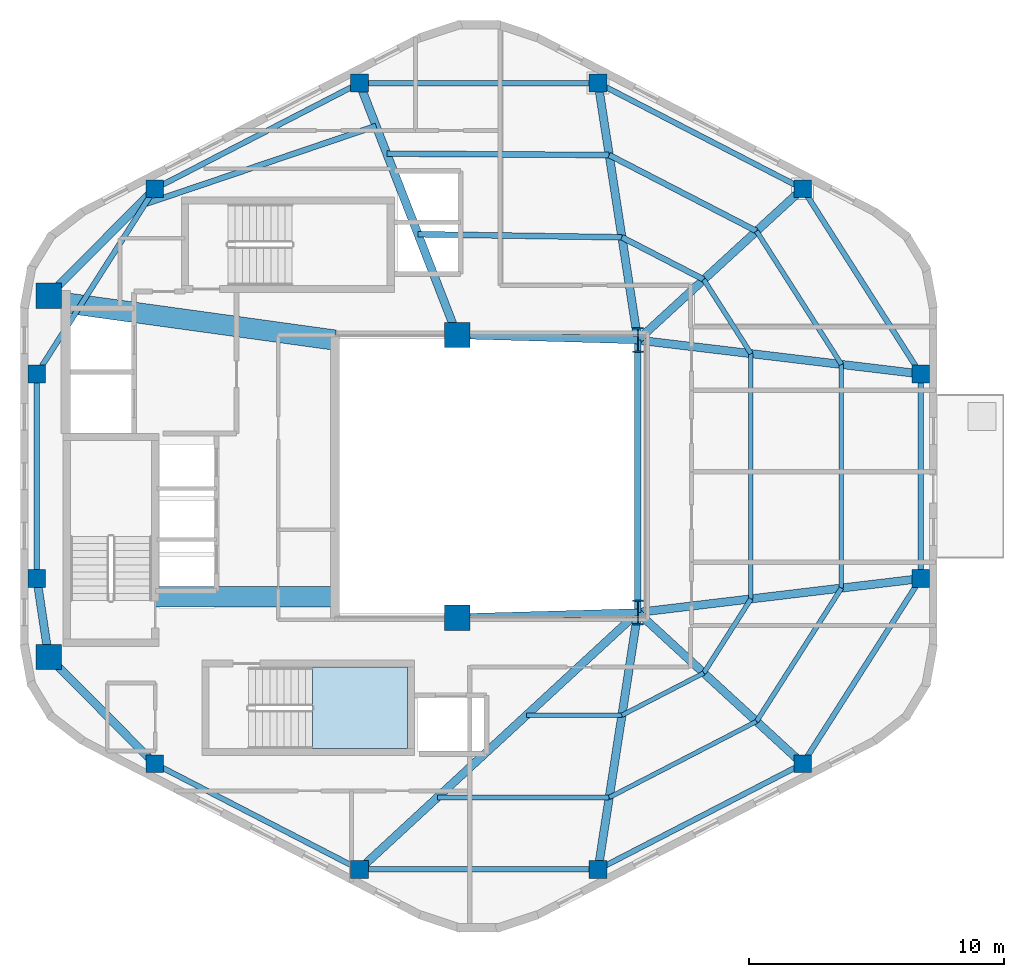
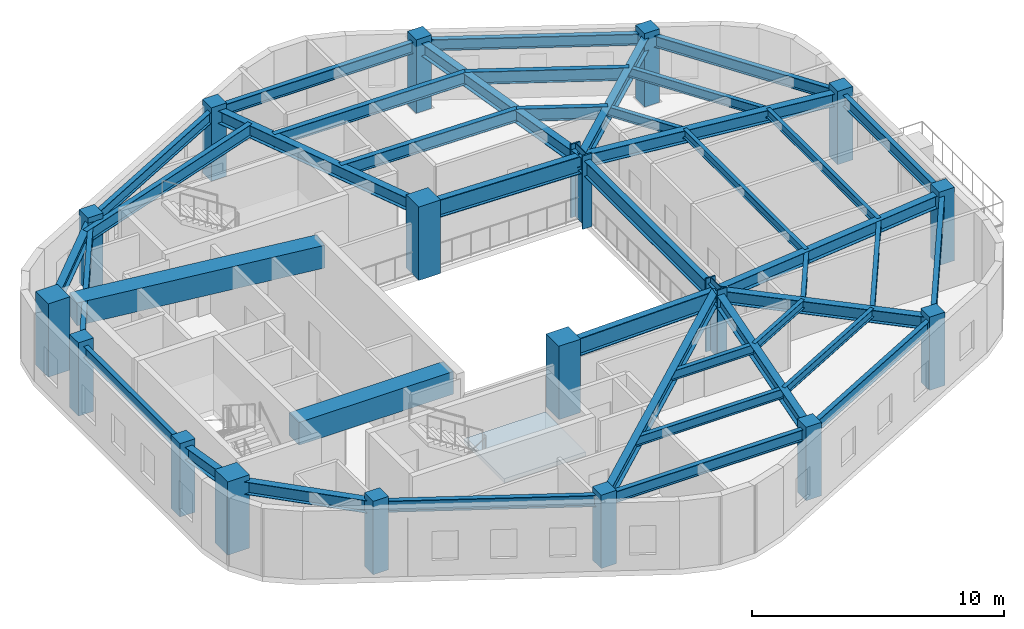
# One storey, part 1 of 7: 42 beams, 18 columns, 1 slab, 1 element without a shape of its own.
"""IFC4 building model written with IfcOpenShell, lengths in metres."""

from ifc_helpers import new_model, si_unit, direction, frame, origin, origin_2d, place, context, subcontext, project, spatial, polyline, rectangle, i_section, outline, extrude, material, layer, layer_set, material_profile, profile_set, type_object, element, aggregate, save


model = new_model("IFC4")

# Units and contexts
model_context = context("Model", 3, precision=1e-05, world=origin(), true_north=direction((0.0, 1.0)))
body_context = subcontext(model_context, "Body", "Model", "MODEL_VIEW")
ifc_project = project(units=[si_unit("LENGTHUNIT", "METRE"), si_unit("AREAUNIT", "SQUARE_METRE"), si_unit("VOLUMEUNIT", "CUBIC_METRE"), si_unit("PLANEANGLEUNIT", "RADIAN"), si_unit("MASSUNIT", "GRAM", prefix="KILO"), si_unit("THERMODYNAMICTEMPERATUREUNIT", "KELVIN"), si_unit("POWERUNIT", "WATT")], contexts=[model_context])

# Site, building, storey
site_placement = place(None, origin())
site = spatial("IfcSite", under=ifc_project, at=site_placement, CompositionType="ELEMENT")
building_placement = place(site_placement, origin())
building = spatial("IfcBuilding", under=site, at=building_placement, Name="Skarre Station Tower", CompositionType="ELEMENT")
storey_placement = place(building_placement, frame((0.0, 0.0, 256.10009765625)))
storey = spatial("IfcBuildingStorey", under=building, at=storey_placement, Name="L70", CompositionType="ELEMENT", Elevation=256.10009765625)

# Columns
ifc_material_1 = material(Name="Concrete C60/75", Category="concrete")
ifc_material_profile_1 = material_profile(ifc_material_1, rectangle(XDim=1.0, YDim=1.0, at=origin_2d()), Name="Concrete C60/75")
ifc_profile_set_1 = profile_set([ifc_material_profile_1], Name="Concrete C60/75")
column_type_1 = type_object("IfcColumnType", Name="RC Structural Column RC-COL-1000X1000", PredefinedType="COLUMN", material=ifc_profile_set_1)
for number, where, z_axis, x_axis, name in (
    (1, (16.300048828125, 16.89990234375, 0.0), (0.0, 0.0, 1.0), (1.0, 0.0, 0.0), "L70 Core Column CC-SW"),
    (2, (16.300048828125, 31.10009765625, 0.0), (0.0, 0.0, 1.0), (1.0, 0.0, 0.0), "L70 Core Column CC-NW"),
    (3, (32.35009765625, 18.449951171875, 0.0), (0.0, 0.0, 1.0), (1.0, 0.0, 0.0), "L70 Core Column CC-SE"),
    (4, (32.35009765625, 29.550048828125, 0.0), (0.0, 0.0, 1.0), (1.0, 0.0, 0.0), "L70 Core Column CC-NE"),
):
    element("IfcColumn", number, at=place(storey_placement, frame(where, z_axis=z_axis, x_axis=x_axis)), inside=storey, type_object=column_type_1, Name=name, PredefinedType="COLUMN", context=body_context, shape_type="SweptSolid", body=[
        extrude(rectangle(XDim=1.0, YDim=1.0, at=origin_2d()), origin(), (0.0, 0.0, 1.0), 3.5498046875),
    ])
ifc_material_2 = material(Name="Concrete C50/60", Category="concrete")
ifc_material_profile_2 = material_profile(ifc_material_2, rectangle(XDim=0.699951171875, YDim=0.699951171875, at=origin_2d()), Name="Concrete C50/60")
ifc_profile_set_2 = profile_set([ifc_material_profile_2], Name="Concrete C50/60")
column_type_2 = type_object("IfcColumnType", Name="RC Structural Column RC-COL-700X700", PredefinedType="COLUMN", material=ifc_profile_set_2)
for number, where, z_axis, x_axis, name in (
    (5, (45.927001953125, 35.298095703125, 0.0), (0.0, 0.0, 1.0), (1.0, 0.0, 0.0), "L70 Zone 4 Perimeter Column F0C1"),
    (6, (37.888916015625, 39.447021484375, 0.0), (0.0, 0.0, 1.0), (1.0, 0.0, 0.0), "L70 Zone 4 Perimeter Column F0C2"),
    (7, (28.510986328125, 39.447021484375, 0.0), (0.0, 0.0, 1.0), (1.0, 0.0, 0.0), "L70 Zone 4 Perimeter Column F1C1"),
    (8, (20.472900390625, 35.298095703125, 0.0), (0.0, 0.0, 1.0), (1.0, 0.0, 0.0), "L70 Zone 4 Perimeter Column F1C2"),
    (9, (15.8369140625, 28.02099609375, 0.0), (0.0, 0.0, 1.0), (1.0, 0.0, 0.0), "L70 Zone 4 Perimeter Column F2C1"),
    (10, (15.8369140625, 19.97900390625, 0.0), (0.0, 0.0, 1.0), (1.0, 0.0, 0.0), "L70 Zone 4 Perimeter Column F2C2"),
    (11, (20.472900390625, 12.701904296875, 0.0), (0.0, 0.0, 1.0), (1.0, 0.0, 0.0), "L70 Zone 4 Perimeter Column F3C1"),
    (12, (28.510986328125, 8.552978515625, 0.0), (0.0, 0.0, 1.0), (1.0, 0.0, 0.0), "L70 Zone 4 Perimeter Column F3C2"),
    (13, (37.888916015625, 8.552978515625, 0.0), (0.0, 0.0, 1.0), (1.0, 0.0, 0.0), "L70 Zone 4 Perimeter Column F4C1"),
    (14, (45.927001953125, 12.701904296875, 0.0), (0.0, 0.0, 1.0), (1.0, 0.0, 0.0), "L70 Zone 4 Perimeter Column F4C2"),
    (15, (50.56298828125, 19.97900390625, 0.0), (0.0, 0.0, 1.0), (1.0, 0.0, 0.0), "L70 Zone 4 Perimeter Column F5C1"),
    (16, (50.56298828125, 28.02099609375, 0.0), (0.0, 0.0, 1.0), (1.0, 0.0, 0.0), "L70 Zone 4 Perimeter Column F5C2"),
):
    element("IfcColumn", number, at=place(storey_placement, frame(where, z_axis=z_axis, x_axis=x_axis)), inside=storey, type_object=column_type_2, Name=name, PredefinedType="COLUMN", context=body_context, shape_type="SweptSolid", body=[
        extrude(rectangle(XDim=0.699951171875, YDim=0.699951171875, at=origin_2d()), origin(), (0.0, 0.0, 1.0), 3.5498046875),
    ])
ifc_material_3 = material(Name="Steel ASTM A913 Grade 65", Category="steel")
ifc_material_profile_3 = material_profile(ifc_material_3, i_section(OverallWidth=0.430908203125, OverallDepth=0.987060546875, WebThickness=0.033935546875, FlangeThickness=0.06201171875, at=origin_2d()), Name="Steel ASTM A913 Grade 65")
ifc_profile_set_3 = profile_set([ifc_material_profile_3], Name="Steel ASTM A913 Grade 65")
column_type_3 = type_object("IfcColumnType", Name="Steel Column W36X441", PredefinedType="COLUMN", material=ifc_profile_set_3)
for number, where, z_axis, x_axis, name in (
    (17, (39.449951171875, 18.64990234375, 0.0), (0.0, 0.0, 1.0), (1.0, 0.0, 0.0), "L70 Atrium Spine Column AC-SE"),
    (18, (39.449951171875, 29.35009765625, 0.0), (0.0, 0.0, 1.0), (1.0, 0.0, 0.0), "L70 Atrium Spine Column AC-NE"),
):
    element("IfcColumn", number, at=place(storey_placement, frame(where, z_axis=z_axis, x_axis=x_axis)), inside=storey, type_object=column_type_3, Name=name, PredefinedType="COLUMN", context=body_context, shape_type="SweptSolid", body=[
        extrude(i_section(OverallWidth=0.430908203125, OverallDepth=0.987060546875, WebThickness=0.033935546875, FlangeThickness=0.06201171875, at=origin_2d()), origin(), (0.0, 0.0, 1.0), 3.5498046875),
    ])

# Beams
ifc_material_4 = material(Name="Concrete C70/85", Category="concrete")
ifc_material_profile_4 = material_profile(ifc_material_4, rectangle(XDim=0.800048828125, YDim=1.10009765625, at=origin_2d()), Name="Concrete C70/85")
ifc_profile_set_4 = profile_set([ifc_material_profile_4], Name="Concrete C70/85")
beam_type_1 = type_object("IfcBeamType", Name="RC Core Coupling Lintel 800x1100", PredefinedType="LINTEL", material=ifc_profile_set_4)
beam_1_placement = place(storey_placement, frame((20.489990234375, 19.260009765625, 2.739990234375), z_axis=(1.0, 0.0, 0.0), x_axis=(0.0, 1.0, 0.0)))
element("IfcBeam", 19, at=beam_1_placement, inside=storey, type_object=beam_type_1, Name="L70 South Core Coupling Lintel", PredefinedType="LINTEL", context=body_context, shape_type="SweptSolid", body=[
    extrude(rectangle(XDim=0.800048828125, YDim=1.10009765625, at=origin_2d()), origin(), (0.0, 0.0, 1.0), 7.06005859375),
])
beam_2_placement = place(storey_placement, frame((17.050048828125, 30.800048828125, 2.739990234375), z_axis=(0.990599723633, -0.136792498109, 0.0), x_axis=(0.136792498109, 0.990599723633, 0.0)))
element("IfcBeam", 20, at=beam_2_placement, inside=storey, type_object=beam_type_1, Name="L70 North Core Coupling Lintel", PredefinedType="LINTEL", context=body_context, shape_type="SweptSolid", body=[
    extrude(rectangle(XDim=0.800048828125, YDim=1.10009765625, at=origin_2d()), origin(), (0.0, 0.0, 1.0), 10.599609375),
])
ifc_material_5 = material(Name="Steel ASTM A992 Grade 50", Category="steel")
ifc_material_profile_5 = material_profile(ifc_material_5, i_section(OverallWidth=0.323974609375, OverallDepth=0.611083984375, WebThickness=0.012939453125, FlangeThickness=0.01904296875, at=origin_2d()), Name="Steel ASTM A992 Grade 50")
ifc_profile_set_5 = profile_set([ifc_material_profile_5], Name="Steel ASTM A992 Grade 50")
beam_type_2 = type_object("IfcBeamType", Name="Steel Beam W24X104", PredefinedType="BEAM", material=ifc_profile_set_5)
beam_3_placement = place(storey_placement, frame((39.449951171875, 29.35009765625, 2.98388671875), z_axis=(0.736547671183, 0.676385635621, 0.0), x_axis=(-0.676385635621, 0.736547671183, 0.0)))
element("IfcBeam", 21, at=beam_3_placement, inside=storey, type_object=beam_type_2, Name="L70 Radial Floor Girder F0C1", PredefinedType="BEAM", context=body_context, shape_type="SweptSolid", body=[
    extrude(i_section(OverallWidth=0.323974609375, OverallDepth=0.611083984375, WebThickness=0.012939453125, FlangeThickness=0.01904296875, at=origin_2d()), origin(), (0.0, 0.0, 1.0), 8.793701171875),
])
beam_4_placement = place(storey_placement, frame((39.449951171875, 29.35009765625, 2.98388671875), z_axis=(-0.152789762931, 0.988258715288, 0.0), x_axis=(-0.988258715288, -0.152789762931, 0.0)))
element("IfcBeam", 22, at=beam_4_placement, inside=storey, type_object=beam_type_2, Name="L70 Radial Floor Girder F0C2", PredefinedType="BEAM", context=body_context, shape_type="SweptSolid", body=[
    extrude(i_section(OverallWidth=0.323974609375, OverallDepth=0.611083984375, WebThickness=0.012939453125, FlangeThickness=0.01904296875, at=origin_2d()), origin(), (0.0, 0.0, 1.0), 10.216796875),
])
beam_5_placement = place(storey_placement, frame((32.35009765625, 29.550048828125, 2.98388671875), z_axis=(-0.361651478681, 0.932313363611, 0.0), x_axis=(-0.932313363611, -0.361651478681, 0.0)))
element("IfcBeam", 23, at=beam_5_placement, inside=storey, type_object=beam_type_2, Name="L70 Radial Floor Girder F1C1", PredefinedType="BEAM", context=body_context, shape_type="SweptSolid", body=[
    extrude(i_section(OverallWidth=0.323974609375, OverallDepth=0.611083984375, WebThickness=0.012939453125, FlangeThickness=0.01904296875, at=origin_2d()), origin(), (0.0, 0.0, 1.0), 10.615478515625),
])
beam_6_placement = place(storey_placement, frame((16.300048828125, 31.10009765625, 2.98388671875), z_axis=(0.704979413242, 0.709227768002, 0.0), x_axis=(-0.709227768002, 0.704979413242, 0.0)))
element("IfcBeam", 24, at=beam_6_placement, inside=storey, type_object=beam_type_2, Name="L70 Radial Floor Girder F1C2", PredefinedType="BEAM", context=body_context, shape_type="SweptSolid", body=[
    extrude(i_section(OverallWidth=0.323974609375, OverallDepth=0.611083984375, WebThickness=0.012939453125, FlangeThickness=0.01904296875, at=origin_2d()), origin(), (0.0, 0.0, 1.0), 5.919189453125),
])
beam_7_placement = place(storey_placement, frame((16.300048828125, 16.89990234375, 2.98388671875), z_axis=(-0.148739188492, 0.988876460336, 0.0), x_axis=(-0.988876460336, -0.148739188492, 0.0)))
element("IfcBeam", 25, at=beam_7_placement, inside=storey, type_object=beam_type_2, Name="L70 Radial Floor Girder F2C2", PredefinedType="BEAM", context=body_context, shape_type="SweptSolid", body=[
    extrude(i_section(OverallWidth=0.323974609375, OverallDepth=0.611083984375, WebThickness=0.012939453125, FlangeThickness=0.01904296875, at=origin_2d()), origin(), (0.0, 0.0, 1.0), 3.11376953125),
])
beam_8_placement = place(storey_placement, frame((16.300048828125, 16.89990234375, 2.98388671875), z_axis=(0.704979413242, -0.709227768002, 0.0), x_axis=(0.709227768002, 0.704979413242, 0.0)))
element("IfcBeam", 26, at=beam_8_placement, inside=storey, type_object=beam_type_2, Name="L70 Radial Floor Girder F3C1", PredefinedType="BEAM", context=body_context, shape_type="SweptSolid", body=[
    extrude(i_section(OverallWidth=0.323974609375, OverallDepth=0.611083984375, WebThickness=0.012939453125, FlangeThickness=0.01904296875, at=origin_2d()), origin(), (0.0, 0.0, 1.0), 5.919189453125),
])
beam_9_placement = place(storey_placement, frame((39.449951171875, 18.64990234375, 2.98388671875), z_axis=(-0.734822935818, -0.678258986668, 0.0), x_axis=(0.678258986668, -0.734822935818, 0.0)))
element("IfcBeam", 27, at=beam_9_placement, inside=storey, type_object=beam_type_2, Name="L70 Radial Floor Girder F3C2", PredefinedType="BEAM", context=body_context, shape_type="SweptSolid", body=[
    extrude(i_section(OverallWidth=0.323974609375, OverallDepth=0.611083984375, WebThickness=0.012939453125, FlangeThickness=0.01904296875, at=origin_2d()), origin(), (0.0, 0.0, 1.0), 14.886474609375),
])
beam_10_placement = place(storey_placement, frame((39.449951171875, 18.64990234375, 2.98388671875), z_axis=(-0.152789762931, -0.988258715288, 0.0), x_axis=(0.988258715288, -0.152789762931, 0.0)))
element("IfcBeam", 28, at=beam_10_placement, inside=storey, type_object=beam_type_2, Name="L70 Radial Floor Girder F4C1", PredefinedType="BEAM", context=body_context, shape_type="SweptSolid", body=[
    extrude(i_section(OverallWidth=0.323974609375, OverallDepth=0.611083984375, WebThickness=0.012939453125, FlangeThickness=0.01904296875, at=origin_2d()), origin(), (0.0, 0.0, 1.0), 10.216796875),
])
beam_11_placement = place(storey_placement, frame((39.449951171875, 18.64990234375, 2.98388671875), z_axis=(0.736547671183, -0.676385635621, 0.0), x_axis=(0.676385635621, 0.736547671183, 0.0)))
element("IfcBeam", 29, at=beam_11_placement, inside=storey, type_object=beam_type_2, Name="L70 Radial Floor Girder F4C2", PredefinedType="BEAM", context=body_context, shape_type="SweptSolid", body=[
    extrude(i_section(OverallWidth=0.323974609375, OverallDepth=0.611083984375, WebThickness=0.012939453125, FlangeThickness=0.01904296875, at=origin_2d()), origin(), (0.0, 0.0, 1.0), 8.793701171875),
])
for number, where, z_axis, x_axis, name in (
    (30, (39.449951171875, 18.64990234375, 2.98388671875), (0.99292393128, 0.118752122891, 0.0), (-0.118752122891, 0.99292393128, 0.0), "L70 Radial Floor Girder F5C1"),
    (31, (39.449951171875, 29.35009765625, 2.98388671875), (0.99292393128, -0.118752122891, 0.0), (0.118752122891, 0.99292393128, 0.0), "L70 Radial Floor Girder F5C2"),
):
    element("IfcBeam", number, at=place(storey_placement, frame(where, z_axis=z_axis, x_axis=x_axis)), inside=storey, type_object=beam_type_2, Name=name, PredefinedType="BEAM", context=body_context, shape_type="SweptSolid", body=[
        extrude(i_section(OverallWidth=0.323974609375, OverallDepth=0.611083984375, WebThickness=0.012939453125, FlangeThickness=0.01904296875, at=origin_2d()), origin(), (0.0, 0.0, 1.0), 11.192138671875),
    ])
ifc_material_profile_6 = material_profile(ifc_material_5, i_section(OverallWidth=0.26806640625, OverallDepth=0.77001953125, WebThickness=0.01611328125, FlangeThickness=0.02490234375, at=origin_2d()), Name="Steel ASTM A992 Grade 50")
ifc_profile_set_6 = profile_set([ifc_material_profile_6], Name="Steel ASTM A992 Grade 50")
beam_type_3 = type_object("IfcBeamType", Name="Steel Beam W30X132", PredefinedType="BEAM", material=ifc_profile_set_6)
beam_12_placement = place(storey_placement, frame((39.449951171875, 18.64990234375, 2.90478515625), z_axis=(0.0, 1.0, 0.0), x_axis=(-1.0, 0.0, 0.0)))
element("IfcBeam", 32, at=beam_12_placement, inside=storey, type_object=beam_type_3, Name="L70 Atrium East Edge Girder", PredefinedType="BEAM", context=body_context, shape_type="SweptSolid", body=[
    extrude(i_section(OverallWidth=0.26806640625, OverallDepth=0.77001953125, WebThickness=0.01611328125, FlangeThickness=0.02490234375, at=origin_2d()), origin(), (0.0, 0.0, 1.0), 10.7001953125),
])
ifc_material_profile_7 = material_profile(ifc_material_5, i_section(OverallWidth=0.2919921875, OverallDepth=0.85888671875, WebThickness=0.01708984375, FlangeThickness=0.031005859375, at=origin_2d()), Name="Steel ASTM A992 Grade 50")
ifc_profile_set_7 = profile_set([ifc_material_profile_7], Name="Steel ASTM A992 Grade 50")
beam_type_4 = type_object("IfcBeamType", Name="Steel Beam W33X169", PredefinedType="BEAM", material=ifc_profile_set_7)
for number, where, z_axis, x_axis, name in (
    (33, (32.35009765625, 18.449951171875, 2.85986328125), (0.999603666405, 0.028151556095, 0.0), (-0.028151556095, 0.999603666405, 0.0), "L70 Atrium South Edge Girder"),
    (34, (32.35009765625, 29.550048828125, 2.85986328125), (0.999603666405, -0.028151556095, 0.0), (0.028151556095, 0.999603666405, 0.0), "L70 Atrium North Edge Girder"),
):
    element("IfcBeam", number, at=place(storey_placement, frame(where, z_axis=z_axis, x_axis=x_axis)), inside=storey, type_object=beam_type_4, Name=name, PredefinedType="BEAM", context=body_context, shape_type="SweptSolid", body=[
        extrude(i_section(OverallWidth=0.2919921875, OverallDepth=0.85888671875, WebThickness=0.01708984375, FlangeThickness=0.031005859375, at=origin_2d()), origin(), (0.0, 0.0, 1.0), 7.102783203125),
    ])
ifc_material_profile_8 = material_profile(ifc_material_5, i_section(OverallWidth=0.177978515625, OverallDepth=0.403076171875, WebThickness=0.008056640625, FlangeThickness=0.010986328125, at=origin_2d()), Name="Steel ASTM A992 Grade 50")
ifc_profile_set_8 = profile_set([ifc_material_profile_8], Name="Steel ASTM A992 Grade 50")
beam_type_5 = type_object("IfcBeamType", Name="Steel Joist W16X36", PredefinedType="JOIST", material=ifc_profile_set_8)
beam_13_placement = place(storey_placement, frame((38.825927734375, 14.611083984375, 3.087890625), z_axis=(0.888562989562, 0.458754633308, 0.0), x_axis=(-0.458754633308, 0.888562989562, 0.0)))
element("IfcBeam", 35, at=beam_13_placement, inside=storey, type_object=beam_type_5, Name="L70 Auxiliary Composite Joist 11", PredefinedType="JOIST", context=body_context, shape_type="SweptSolid", body=[
    extrude(i_section(OverallWidth=0.177978515625, OverallDepth=0.403076171875, WebThickness=0.008056640625, FlangeThickness=0.010986328125, at=origin_2d()), origin(), (0.0, 0.0, 1.0), 3.618408203125),
])
beam_14_placement = place(storey_placement, frame((38.325927734375, 11.3798828125, 3.087890625), z_axis=(0.888610306875, 0.458662972689, 0.0), x_axis=(-0.458662972689, 0.888610306875, 0.0)))
element("IfcBeam", 36, at=beam_14_placement, inside=storey, type_object=beam_type_5, Name="L70 Auxiliary Composite Joist 12", PredefinedType="JOIST", context=body_context, shape_type="SweptSolid", body=[
    extrude(i_section(OverallWidth=0.177978515625, OverallDepth=0.403076171875, WebThickness=0.008056640625, FlangeThickness=0.010986328125, at=origin_2d()), origin(), (0.0, 0.0, 1.0), 6.512451171875),
])
beam_15_placement = place(storey_placement, frame((43.89501953125, 19.181884765625, 3.087890625), z_axis=(0.0, 1.0, 0.0), x_axis=(-1.0, 0.0, 0.0)))
element("IfcBeam", 37, at=beam_15_placement, inside=storey, type_object=beam_type_5, Name="L70 Auxiliary Composite Joist 15", PredefinedType="JOIST", context=body_context, shape_type="SweptSolid", body=[
    extrude(i_section(OverallWidth=0.177978515625, OverallDepth=0.403076171875, WebThickness=0.008056640625, FlangeThickness=0.010986328125, at=origin_2d()), origin(), (0.0, 0.0, 1.0), 9.63623046875),
])
beam_16_placement = place(storey_placement, frame((47.450927734375, 19.60693359375, 3.087890625), z_axis=(0.0, 1.0, 0.0), x_axis=(-1.0, 0.0, 0.0)))
element("IfcBeam", 38, at=beam_16_placement, inside=storey, type_object=beam_type_5, Name="L70 Auxiliary Composite Joist 16", PredefinedType="JOIST", context=body_context, shape_type="SweptSolid", body=[
    extrude(i_section(OverallWidth=0.177978515625, OverallDepth=0.403076171875, WebThickness=0.008056640625, FlangeThickness=0.010986328125, at=origin_2d()), origin(), (0.0, 0.0, 1.0), 8.7861328125),
])
ifc_material_profile_9 = material_profile(ifc_material_5, i_section(OverallWidth=0.19091796875, OverallDepth=0.45703125, WebThickness=0.009033203125, FlangeThickness=0.013916015625, at=origin_2d()), Name="Steel ASTM A992 Grade 50")
ifc_profile_set_9 = profile_set([ifc_material_profile_9], Name="Steel ASTM A992 Grade 50")
beam_type_6 = type_object("IfcBeamType", Name="Steel Joist W18X50", PredefinedType="JOIST", material=ifc_profile_set_9)
beam_17_placement = place(storey_placement, frame((35.073974609375, 14.611083984375, 3.060791015625), z_axis=(1.0, 0.0, 0.0), x_axis=(0.0, 1.0, 0.0)))
element("IfcBeam", 39, at=beam_17_placement, inside=storey, type_object=beam_type_6, Name="L70 Auxiliary Composite Joist 9", PredefinedType="JOIST", context=body_context, shape_type="SweptSolid", body=[
    extrude(i_section(OverallWidth=0.19091796875, OverallDepth=0.45703125, WebThickness=0.009033203125, FlangeThickness=0.013916015625, at=origin_2d()), origin(), (0.0, 0.0, 1.0), 3.751953125),
])
beam_18_placement = place(storey_placement, frame((31.573974609375, 11.3798828125, 3.060791015625), z_axis=(1.0, 0.0, 0.0), x_axis=(0.0, 1.0, 0.0)))
element("IfcBeam", 40, at=beam_18_placement, inside=storey, type_object=beam_type_6, Name="L70 Auxiliary Composite Joist 10", PredefinedType="JOIST", context=body_context, shape_type="SweptSolid", body=[
    extrude(i_section(OverallWidth=0.19091796875, OverallDepth=0.45703125, WebThickness=0.009033203125, FlangeThickness=0.013916015625, at=origin_2d()), origin(), (0.0, 0.0, 1.0), 6.751953125),
])
beam_19_placement = place(storey_placement, frame((42.041015625, 16.27099609375, 3.060791015625), z_axis=(0.537209598798, 0.843448781468, 0.0), x_axis=(-0.843448781468, 0.537209598798, 0.0)))
element("IfcBeam", 41, at=beam_19_placement, inside=storey, type_object=beam_type_6, Name="L70 Auxiliary Composite Joist 13", PredefinedType="JOIST", context=body_context, shape_type="SweptSolid", body=[
    extrude(i_section(OverallWidth=0.19091796875, OverallDepth=0.45703125, WebThickness=0.009033203125, FlangeThickness=0.013916015625, at=origin_2d()), origin(), (0.0, 0.0, 1.0), 3.451171875),
])
beam_20_placement = place(storey_placement, frame((44.113037109375, 14.366943359375, 3.060791015625), z_axis=(0.537259384828, 0.843417069672, 0.0), x_axis=(-0.843417069672, 0.537259384828, 0.0)))
element("IfcBeam", 42, at=beam_20_placement, inside=storey, type_object=beam_type_6, Name="L70 Auxiliary Composite Joist 14", PredefinedType="JOIST", context=body_context, shape_type="SweptSolid", body=[
    extrude(i_section(OverallWidth=0.19091796875, OverallDepth=0.45703125, WebThickness=0.009033203125, FlangeThickness=0.013916015625, at=origin_2d()), origin(), (0.0, 0.0, 1.0), 6.212890625),
])
beam_21_placement = place(storey_placement, frame((43.89501953125, 28.818115234375, 3.060791015625), z_axis=(-0.537209598798, 0.843448781468, 0.0), x_axis=(-0.843448781468, -0.537209598798, 0.0)))
element("IfcBeam", 43, at=beam_21_placement, inside=storey, type_object=beam_type_6, Name="L70 Auxiliary Composite Joist 17", PredefinedType="JOIST", context=body_context, shape_type="SweptSolid", body=[
    extrude(i_section(OverallWidth=0.19091796875, OverallDepth=0.45703125, WebThickness=0.009033203125, FlangeThickness=0.013916015625, at=origin_2d()), origin(), (0.0, 0.0, 1.0), 3.451171875),
])
beam_22_placement = place(storey_placement, frame((47.450927734375, 28.39306640625, 3.060791015625), z_axis=(-0.537259384828, 0.843417069672, 0.0), x_axis=(-0.843417069672, -0.537259384828, 0.0)))
element("IfcBeam", 44, at=beam_22_placement, inside=storey, type_object=beam_type_6, Name="L70 Auxiliary Composite Joist 18", PredefinedType="JOIST", context=body_context, shape_type="SweptSolid", body=[
    extrude(i_section(OverallWidth=0.19091796875, OverallDepth=0.45703125, WebThickness=0.009033203125, FlangeThickness=0.013916015625, at=origin_2d()), origin(), (0.0, 0.0, 1.0), 6.212890625),
])
ifc_material_profile_10 = material_profile(ifc_material_5, i_section(OverallWidth=0.22802734375, OverallDepth=0.60791015625, WebThickness=0.010986328125, FlangeThickness=0.01708984375, at=origin_2d()), Name="Steel ASTM A992 Grade 50")
ifc_profile_set_10 = profile_set([ifc_material_profile_10], Name="Steel ASTM A992 Grade 50")
beam_type_7 = type_object("IfcBeamType", Name="Steel Joist W24X76", PredefinedType="JOIST", material=ifc_profile_set_10)
beam_23_placement = place(storey_placement, frame((42.041015625, 31.72900390625, 2.98583984375), z_axis=(-0.888562989562, 0.458754633308, 0.0), x_axis=(-0.458754633308, -0.888562989562, 0.0)))
element("IfcBeam", 45, at=beam_23_placement, inside=storey, type_object=beam_type_7, Name="L70 Secondary Floor Joist 1", PredefinedType="JOIST", context=body_context, shape_type="SweptSolid", body=[
    extrude(i_section(OverallWidth=0.22802734375, OverallDepth=0.60791015625, WebThickness=0.010986328125, FlangeThickness=0.01708984375, at=origin_2d()), origin(), (0.0, 0.0, 1.0), 3.618408203125),
])
beam_24_placement = place(storey_placement, frame((44.113037109375, 33.633056640625, 2.98583984375), z_axis=(-0.888610306875, 0.458662972689, 0.0), x_axis=(-0.458662972689, -0.888610306875, 0.0)))
element("IfcBeam", 46, at=beam_24_placement, inside=storey, type_object=beam_type_7, Name="L70 Secondary Floor Joist 2", PredefinedType="JOIST", context=body_context, shape_type="SweptSolid", body=[
    extrude(i_section(OverallWidth=0.22802734375, OverallDepth=0.60791015625, WebThickness=0.010986328125, FlangeThickness=0.01708984375, at=origin_2d()), origin(), (0.0, 0.0, 1.0), 6.512451171875),
])
beam_25_placement = place(storey_placement, frame((38.825927734375, 33.388916015625, 2.98583984375), z_axis=(-0.999887635467, 0.014990545042, 0.0), x_axis=(-0.014990545042, -0.999887635467, 0.0)))
element("IfcBeam", 47, at=beam_25_placement, inside=storey, type_object=beam_type_7, Name="L70 Secondary Floor Joist 3", PredefinedType="JOIST", context=body_context, shape_type="SweptSolid", body=[
    extrude(i_section(OverallWidth=0.22802734375, OverallDepth=0.60791015625, WebThickness=0.010986328125, FlangeThickness=0.01708984375, at=origin_2d()), origin(), (0.0, 0.0, 1.0), 8.012939453125),
])
beam_26_placement = place(storey_placement, frame((38.325927734375, 36.6201171875, 2.98583984375), z_axis=(-0.999979540932, 0.006396695854, 0.0), x_axis=(-0.006396695854, -0.999979540932, 0.0)))
element("IfcBeam", 48, at=beam_26_placement, inside=storey, type_object=beam_type_7, Name="L70 Secondary Floor Joist 4", PredefinedType="JOIST", context=body_context, shape_type="SweptSolid", body=[
    extrude(i_section(OverallWidth=0.22802734375, OverallDepth=0.60791015625, WebThickness=0.010986328125, FlangeThickness=0.01708984375, at=origin_2d()), origin(), (0.0, 0.0, 1.0), 8.740234375),
])
beam_27_placement = place(storey_placement, frame((29.1640625, 37.764892578125, 2.98583984375), z_axis=(-0.947236771085, -0.320534708736, 0.0), x_axis=(0.320534708736, -0.947236771085, 0.0)))
element("IfcBeam", 49, at=beam_27_placement, inside=storey, type_object=beam_type_7, Name="L70 Secondary Floor Joist 6", PredefinedType="JOIST", context=body_context, shape_type="SweptSolid", body=[
    extrude(i_section(OverallWidth=0.22802734375, OverallDepth=0.60791015625, WebThickness=0.010986328125, FlangeThickness=0.01708984375, at=origin_2d()), origin(), (0.0, 0.0, 1.0), 9.923828125),
])
ifc_material_profile_11 = material_profile(ifc_material_5, i_section(OverallWidth=0.214111328125, OverallDepth=0.549072265625, WebThickness=0.014892578125, FlangeThickness=0.02392578125, at=origin_2d()), Name="Steel ASTM A992 Grade 50")
ifc_profile_set_11 = profile_set([ifc_material_profile_11], Name="Steel ASTM A992 Grade 50")
beam_type_8 = type_object("IfcBeamType", Name="Steel Spandrel W21X93", PredefinedType="SPANDREL", material=ifc_profile_set_11)
beam_28_placement = place(storey_placement, frame((45.927001953125, 35.298095703125, 3.014892578125), z_axis=(-0.888610011727, 0.458663544505, 0.0), x_axis=(-0.458663544505, -0.888610011727, 0.0)))
element("IfcBeam", 50, at=beam_28_placement, inside=storey, type_object=beam_type_8, Name="L70 Facet Spandrel Beam 1", PredefinedType="SPANDREL", context=body_context, shape_type="SweptSolid", body=[
    extrude(i_section(OverallWidth=0.214111328125, OverallDepth=0.549072265625, WebThickness=0.014892578125, FlangeThickness=0.02392578125, at=origin_2d()), origin(), (0.0, 0.0, 1.0), 9.045654296875),
])
beam_29_placement = place(storey_placement, frame((37.888916015625, 39.447021484375, 3.014892578125), z_axis=(-1.0, 0.0, 0.0), x_axis=(0.0, -1.0, 0.0)))
element("IfcBeam", 51, at=beam_29_placement, inside=storey, type_object=beam_type_8, Name="L70 Facet Spandrel Beam 2", PredefinedType="SPANDREL", context=body_context, shape_type="SweptSolid", body=[
    extrude(i_section(OverallWidth=0.214111328125, OverallDepth=0.549072265625, WebThickness=0.014892578125, FlangeThickness=0.02392578125, at=origin_2d()), origin(), (0.0, 0.0, 1.0), 9.3779296875),
])
beam_30_placement = place(storey_placement, frame((28.510986328125, 39.447021484375, 3.014892578125), z_axis=(-0.888610011727, -0.458663544505, 0.0), x_axis=(0.458663544505, -0.888610011727, 0.0)))
element("IfcBeam", 52, at=beam_30_placement, inside=storey, type_object=beam_type_8, Name="L70 Facet Spandrel Beam 3", PredefinedType="SPANDREL", context=body_context, shape_type="SweptSolid", body=[
    extrude(i_section(OverallWidth=0.214111328125, OverallDepth=0.549072265625, WebThickness=0.014892578125, FlangeThickness=0.02392578125, at=origin_2d()), origin(), (0.0, 0.0, 1.0), 9.045654296875),
])
beam_31_placement = place(storey_placement, frame((20.472900390625, 35.298095703125, 3.014892578125), z_axis=(-0.537296523663, -0.843393410965, 0.0), x_axis=(0.843393410965, -0.537296523663, 0.0)))
element("IfcBeam", 53, at=beam_31_placement, inside=storey, type_object=beam_type_8, Name="L70 Facet Spandrel Beam 4", PredefinedType="SPANDREL", context=body_context, shape_type="SweptSolid", body=[
    extrude(i_section(OverallWidth=0.214111328125, OverallDepth=0.549072265625, WebThickness=0.014892578125, FlangeThickness=0.02392578125, at=origin_2d()), origin(), (0.0, 0.0, 1.0), 8.62841796875),
])
beam_32_placement = place(storey_placement, frame((15.8369140625, 28.02099609375, 3.014892578125), z_axis=(0.0, -1.0, 0.0), x_axis=(1.0, 0.0, 0.0)))
element("IfcBeam", 54, at=beam_32_placement, inside=storey, type_object=beam_type_8, Name="L70 Facet Spandrel Beam 5", PredefinedType="SPANDREL", context=body_context, shape_type="SweptSolid", body=[
    extrude(i_section(OverallWidth=0.214111328125, OverallDepth=0.549072265625, WebThickness=0.014892578125, FlangeThickness=0.02392578125, at=origin_2d()), origin(), (0.0, 0.0, 1.0), 8.0419921875),
])
beam_33_placement = place(storey_placement, frame((20.472900390625, 12.701904296875, 3.014892578125), z_axis=(0.888610011727, -0.458663544505, 0.0), x_axis=(0.458663544505, 0.888610011727, 0.0)))
element("IfcBeam", 55, at=beam_33_placement, inside=storey, type_object=beam_type_8, Name="L70 Facet Spandrel Beam 7", PredefinedType="SPANDREL", context=body_context, shape_type="SweptSolid", body=[
    extrude(i_section(OverallWidth=0.214111328125, OverallDepth=0.549072265625, WebThickness=0.014892578125, FlangeThickness=0.02392578125, at=origin_2d()), origin(), (0.0, 0.0, 1.0), 9.045654296875),
])
beam_34_placement = place(storey_placement, frame((28.510986328125, 8.552978515625, 3.014892578125), z_axis=(1.0, 0.0, 0.0), x_axis=(0.0, 1.0, 0.0)))
element("IfcBeam", 56, at=beam_34_placement, inside=storey, type_object=beam_type_8, Name="L70 Facet Spandrel Beam 8", PredefinedType="SPANDREL", context=body_context, shape_type="SweptSolid", body=[
    extrude(i_section(OverallWidth=0.214111328125, OverallDepth=0.549072265625, WebThickness=0.014892578125, FlangeThickness=0.02392578125, at=origin_2d()), origin(), (0.0, 0.0, 1.0), 9.3779296875),
])
beam_35_placement = place(storey_placement, frame((37.888916015625, 8.552978515625, 3.014892578125), z_axis=(0.888610011727, 0.458663544505, 0.0), x_axis=(-0.458663544505, 0.888610011727, 0.0)))
element("IfcBeam", 57, at=beam_35_placement, inside=storey, type_object=beam_type_8, Name="L70 Facet Spandrel Beam 9", PredefinedType="SPANDREL", context=body_context, shape_type="SweptSolid", body=[
    extrude(i_section(OverallWidth=0.214111328125, OverallDepth=0.549072265625, WebThickness=0.014892578125, FlangeThickness=0.02392578125, at=origin_2d()), origin(), (0.0, 0.0, 1.0), 9.045654296875),
])
beam_36_placement = place(storey_placement, frame((45.927001953125, 12.701904296875, 3.014892578125), z_axis=(0.537296523663, 0.843393410965, 0.0), x_axis=(-0.843393410965, 0.537296523663, 0.0)))
element("IfcBeam", 58, at=beam_36_placement, inside=storey, type_object=beam_type_8, Name="L70 Facet Spandrel Beam 10", PredefinedType="SPANDREL", context=body_context, shape_type="SweptSolid", body=[
    extrude(i_section(OverallWidth=0.214111328125, OverallDepth=0.549072265625, WebThickness=0.014892578125, FlangeThickness=0.02392578125, at=origin_2d()), origin(), (0.0, 0.0, 1.0), 8.62841796875),
])
beam_37_placement = place(storey_placement, frame((50.56298828125, 19.97900390625, 3.014892578125), z_axis=(0.0, 1.0, 0.0), x_axis=(-1.0, 0.0, 0.0)))
element("IfcBeam", 59, at=beam_37_placement, inside=storey, type_object=beam_type_8, Name="L70 Facet Spandrel Beam 11", PredefinedType="SPANDREL", context=body_context, shape_type="SweptSolid", body=[
    extrude(i_section(OverallWidth=0.214111328125, OverallDepth=0.549072265625, WebThickness=0.014892578125, FlangeThickness=0.02392578125, at=origin_2d()), origin(), (0.0, 0.0, 1.0), 8.0419921875),
])
beam_38_placement = place(storey_placement, frame((50.56298828125, 28.02099609375, 3.014892578125), z_axis=(-0.537296523663, 0.843393410965, 0.0), x_axis=(-0.843393410965, -0.537296523663, 0.0)))
element("IfcBeam", 60, at=beam_38_placement, inside=storey, type_object=beam_type_8, Name="L70 Facet Spandrel Beam 12", PredefinedType="SPANDREL", context=body_context, shape_type="SweptSolid", body=[
    extrude(i_section(OverallWidth=0.214111328125, OverallDepth=0.549072265625, WebThickness=0.014892578125, FlangeThickness=0.02392578125, at=origin_2d()), origin(), (0.0, 0.0, 1.0), 8.62841796875),
])

# Stair, slab
ifc_material_6 = material(Name="Concrete C40/50", Category="concrete")
stair_type = type_object("IfcStairType", Name="Reinforced Concrete Exit Stair ST-2", PredefinedType="HALF_TURN_STAIR", material=ifc_material_6)
stair_placement = place(storey_placement, origin())
stair = element("IfcStair", 61, at=stair_placement, inside=storey, type_object=stair_type, Name="L70 Core Exit Stair ST-2", PredefinedType="HALF_TURN_STAIR")
ifc_layer = layer(ifc_material_6, 0.219970703125, Name="Concrete C40/50")
ifc_layer_set = layer_set([ifc_layer], Name="Concrete C40/50")
slab_type = type_object("IfcSlabType", Name="Reinforced Concrete Stair & Ramp Landing 220", PredefinedType="LANDING", material=ifc_layer_set)
slab_placement = place(storey_placement, frame((0.0, 0.0, 1.574951171875)))
slab = element("IfcSlab", 62, at=slab_placement, type_object=slab_type, Name="ST-2 landing 1", PredefinedType="LANDING", context=body_context, shape_type="SweptSolid", body=[
    extrude(outline(polyline([(26.669921875, 13.300048828125), (30.39990234375, 13.300048828125), (30.39990234375, 16.5), (26.669921875, 16.5), (26.669921875, 13.300048828125)])), origin(), (0.0, 0.0, 1.0), 0.199951171875),
])
aggregate(stair, [slab])

save(model, "model.ifc")
